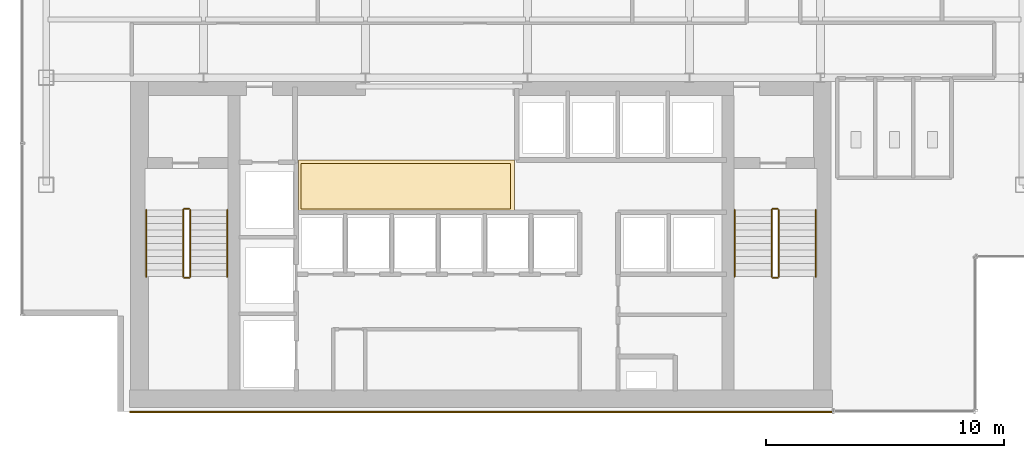
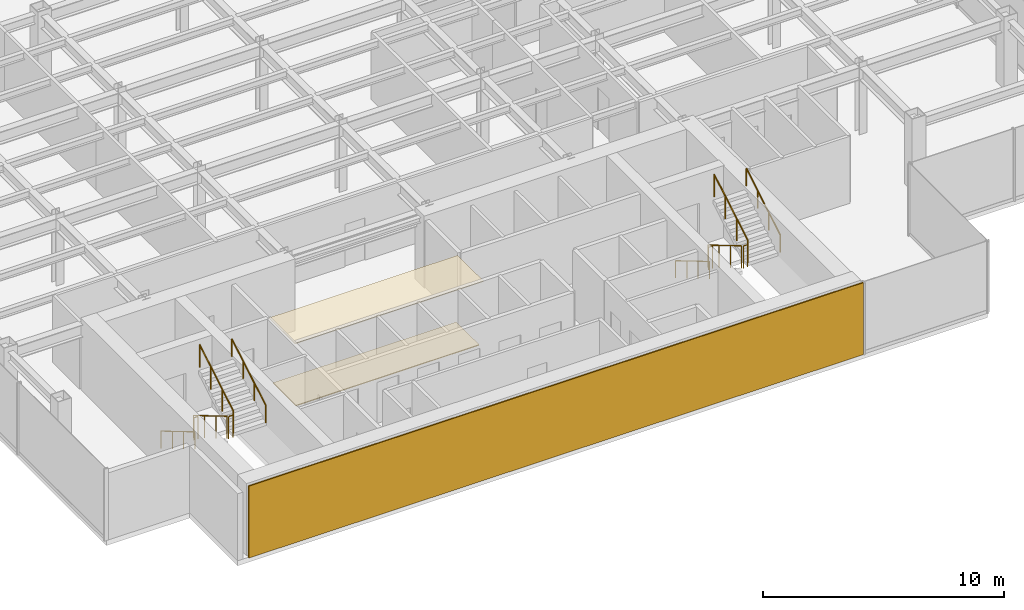
# One storey, part 23 of 25: 12 railings, 3 coverings.
"""IFC4 building model written with IfcOpenShell, lengths in metres."""

import ifcopenshell
import ifcopenshell.guid

model = None  # the IFC model being written
_history = None  # IfcOwnerHistory: only IFC2X3 demands one
_inside = {}  # id of a spatial element -> (the spatial element, [elements in it])
_under = {}  # id of a project, library or spatial element -> (it, [spatial elements below it])
_declared = {}  # id of a project -> (the project, [libraries it declares])
_typed = {}  # id of a type object -> (the type object, [elements of that type])
_made_of = {}  # id of a material, layer set ... -> (it, [elements and type objects made of it])


def new_model(schema):
    """Start an empty IFC model of exactly this schema.

    Asked for "IFC4X3", IfcOpenShell would pick the latest addendum, in which some entities
    have other attributes; the version numbers below select the first issue.
    IFC2X3 requires an IfcOwnerHistory on every rooted entity: one is made here for all.
    """
    global model, _history
    if schema == "IFC4X3":
        model = ifcopenshell.file(schema_version=(4, 3, 0, 0))
    else:
        model = ifcopenshell.file(schema=schema)
    _inside.clear()
    _under.clear()
    _declared.clear()
    _typed.clear()
    _made_of.clear()
    _history = None
    if model.schema == "IFC2X3":
        org = make("IfcOrganization", Name="unknown")
        user = make(
            "IfcPersonAndOrganization",
            ThePerson=make("IfcPerson", FamilyName="unknown"),
            TheOrganization=org,
        )
        app = make(
            "IfcApplication",
            ApplicationDeveloper=org,
            Version="unknown",
            ApplicationFullName="unknown",
            ApplicationIdentifier="unknown",
        )
        _history = make(
            "IfcOwnerHistory",
            OwningUser=user,
            OwningApplication=app,
            ChangeAction="ADDED",
            CreationDate=0,
        )
    return model


def make(cls, **values):
    """One entity of the class cls with the attributes given. An attribute that is None is left unset."""
    return model.create_entity(
        cls, **{name: value for name, value in values.items() if value is not None}
    )


def rooted(cls, **values):
    """An entity with a GlobalId (a new one), such as an element, a storey or a relation."""
    return make(cls, GlobalId=ifcopenshell.guid.new(), OwnerHistory=_history, **values)


def si_unit(unit_type, name, prefix=None):
    """IfcSIUnit, for example si_unit("LENGTHUNIT", "METRE", prefix="MILLI")."""
    return make("IfcSIUnit", UnitType=unit_type, Prefix=prefix, Name=name)


def derived_unit(unit_type, elements):
    """IfcDerivedUnit: a product of units, each with its exponent."""
    return make(
        "IfcDerivedUnit",
        Elements=[
            make("IfcDerivedUnitElement", Unit=unit, Exponent=power)
            for unit, power in elements
        ],
        UnitType=unit_type,
    )


def assignment(units):
    """IfcUnitAssignment: the units of a project."""
    return None if units is None else make("IfcUnitAssignment", Units=units)


def point(xyz):
    """IfcCartesianPoint."""
    return None if xyz is None else make("IfcCartesianPoint", Coordinates=xyz)


def direction(xyz):
    """IfcDirection."""
    return None if xyz is None else make("IfcDirection", DirectionRatios=xyz)


def frame(location, z_axis=None, x_axis=None):
    """IfcAxis2Placement3D, a coordinate frame: its origin and axes. An axis left out is left unset."""
    return make(
        "IfcAxis2Placement3D",
        Location=point(location),
        Axis=direction(z_axis),
        RefDirection=direction(x_axis),
    )


def frame_2d(location, x_axis=None):
    """IfcAxis2Placement2D, a coordinate frame in the plane: its origin and x axis."""
    return make(
        "IfcAxis2Placement2D", Location=point(location), RefDirection=direction(x_axis)
    )


def origin():
    """The frame at (0, 0, 0) with its axes left unset."""
    return frame((0.0, 0.0, 0.0))


def origin_2d():
    """The frame at (0, 0) in the plane with its x axis left unset."""
    return frame_2d((0.0, 0.0))


def place(relative_to, where):
    """IfcLocalPlacement: puts the frame where relative to a parent placement (None: the world)."""
    return make(
        "IfcLocalPlacement", PlacementRelTo=relative_to, RelativePlacement=where
    )


def context(
    kind, dimensions, precision=None, world=None, true_north=None, identifier=None
):
    """IfcGeometricRepresentationContext, for example the 3D "Model" context."""
    return make(
        "IfcGeometricRepresentationContext",
        ContextIdentifier=identifier,
        ContextType=kind,
        CoordinateSpaceDimension=dimensions,
        Precision=precision,
        WorldCoordinateSystem=world,
        TrueNorth=true_north,
    )


def subcontext(parent, identifier, kind, view, scale=None):
    """IfcGeometricRepresentationSubContext, for example "Body" below "Model"."""
    return make(
        "IfcGeometricRepresentationSubContext",
        ContextIdentifier=identifier,
        ContextType=kind,
        ParentContext=parent,
        TargetScale=scale,
        TargetView=view,
    )


def project(units=None, contexts=None):
    """IfcProject with its units and contexts."""
    return rooted(
        "IfcProject",
        Name="project",
        RepresentationContexts=contexts,
        UnitsInContext=assignment(units),
    )


def spatial(cls, under=None, at=None, **own):
    """A site, building, storey or space (cls), placed at a placement, below another one or the project."""
    s = rooted(cls, ObjectPlacement=at, **own)
    if under is not None:
        _under.setdefault(under.id(), (under, []))[1].append(s)
    return s


def polyline(points):
    """IfcPolyline through the points."""
    return make("IfcPolyline", Points=[point(p) for p in points])


def profile(cls, at=None, kind="AREA", **sizes):
    """A parametric profile (cls). Its sizes go by their IFC names, for example OverallWidth=200.0."""
    return make(cls, ProfileType=kind, Position=at, **sizes)


def rectangle(**sizes):
    """IfcRectangleProfileDef."""
    return profile("IfcRectangleProfileDef", **sizes)


def circle(**sizes):
    """IfcCircleProfileDef."""
    return profile("IfcCircleProfileDef", **sizes)


def outline(outer, holes=None, kind="AREA"):
    """IfcArbitraryClosedProfileDef: a profile drawn as a closed curve; with holes, ...WithVoids."""
    if holes is None:
        return make("IfcArbitraryClosedProfileDef", ProfileType=kind, OuterCurve=outer)
    return make(
        "IfcArbitraryProfileDefWithVoids",
        ProfileType=kind,
        OuterCurve=outer,
        InnerCurves=holes,
    )


def extrude(swept, where, along, depth):
    """IfcExtrudedAreaSolid: the profile swept, set in the frame where, extruded along a direction by depth."""
    return make(
        "IfcExtrudedAreaSolid",
        SweptArea=swept,
        Position=where,
        ExtrudedDirection=direction(along),
        Depth=depth,
    )


def shape(context_of_items, identifier, shape_type, items):
    """IfcShapeRepresentation: the items that make up one representation, for example the "Body"."""
    return make(
        "IfcShapeRepresentation",
        ContextOfItems=context_of_items,
        RepresentationIdentifier=identifier,
        RepresentationType=shape_type,
        Items=items,
    )


def source(mapping_origin, context_of_items, identifier, shape_type, items):
    """IfcRepresentationMap: a shape defined once, which mapped items show again and again."""
    return make(
        "IfcRepresentationMap",
        MappingOrigin=mapping_origin,
        MappedRepresentation=shape(context_of_items, identifier, shape_type, items),
    )


def transform(
    local_origin,
    x_axis=None,
    y_axis=None,
    z_axis=None,
    scale=None,
    scale2=None,
    scale3=None,
    uniform=True,
):
    """IfcCartesianTransformationOperator3D, or its non-uniform kind. x_axis, y_axis, z_axis: its Axis1, 2, 3."""
    if uniform:
        return make(
            "IfcCartesianTransformationOperator3D",
            Axis1=direction(x_axis),
            Axis2=direction(y_axis),
            LocalOrigin=point(local_origin),
            Scale=scale,
            Axis3=direction(z_axis),
        )
    return make(
        "IfcCartesianTransformationOperator3DnonUniform",
        Axis1=direction(x_axis),
        Axis2=direction(y_axis),
        LocalOrigin=point(local_origin),
        Scale=scale,
        Axis3=direction(z_axis),
        Scale2=scale2,
        Scale3=scale3,
    )


def mapped(mapping_source, mapping_target):
    """IfcMappedItem: shows the shape of a source again, moved by a transform."""
    return make(
        "IfcMappedItem", MappingSource=mapping_source, MappingTarget=mapping_target
    )


def material(Name=None, Category=None):
    """IfcMaterial."""
    return make("IfcMaterial", Name=Name, Category=Category)


def layer(
    of_material, thickness, ventilated=None, Name=None, Category=None, Priority=None
):
    """IfcMaterialLayer: one layer of a wall or slab, of a material (None: an air gap)."""
    return make(
        "IfcMaterialLayer",
        Material=of_material,
        LayerThickness=thickness,
        IsVentilated=ventilated,
        Name=Name,
        Category=Category,
        Priority=Priority,
    )


def layer_set(layers, Name=None):
    """IfcMaterialLayerSet."""
    return make("IfcMaterialLayerSet", MaterialLayers=layers, LayerSetName=Name)


def made_of(thing, what):
    """Note that an element or type object is made of a material, layer set ...; save() writes the relation."""
    if what is not None:
        _made_of.setdefault(what.id(), (what, []))[1].append(thing)
    return thing


def type_object(cls, material=None, **own):
    """A type object (cls), such as IfcWallType, which elements share."""
    return made_of(rooted(cls, **own), material)


def element(
    cls,
    number,
    at=None,
    inside=None,
    cuts=None,
    type_object=None,
    material=None,
    context=None,
    identifier="Body",
    shape_type=None,
    held_by="IfcProductDefinitionShape",
    body=None,
    shapes=None,
    **own,
):
    """One element of the class cls, such as IfcWall. Its Tag is "e" and its number.

    at: its placement. inside: the storey or other place that contains it. cuts: it is an
    opening in that element (IfcRelVoidsElement). A single representation is given by context,
    identifier, shape_type and body (its items); several are given by shapes. held_by: the class
    of the entity that holds the representations. save() writes the other relations.
    """
    e = rooted(cls, Tag="e%d" % number, ObjectPlacement=at, **own)
    if body is not None:
        shapes = [shape(context, identifier, shape_type, body)]
    if shapes is not None:
        e.Representation = make(held_by, Representations=shapes)
    if inside is not None:
        _inside.setdefault(inside.id(), (inside, []))[1].append(e)
    if cuts is not None:
        rooted(
            "IfcRelVoidsElement", RelatingBuildingElement=cuts, RelatedOpeningElement=e
        )
    if type_object is not None:
        _typed.setdefault(type_object.id(), (type_object, []))[1].append(e)
    return made_of(e, material)


def aggregate(whole, parts):
    """IfcRelAggregates: a whole, such as a stair, and the parts it consists of."""
    return rooted("IfcRelAggregates", RelatingObject=whole, RelatedObjects=parts)


def save(model, path):
    """Write the relations noted so far, then the file.

    IfcRelAggregates (storeys below a building ...), IfcRelContainedInSpatialStructure (elements
    in a storey), IfcRelDefinesByType, IfcRelAssociatesMaterial and IfcRelDeclares: one each for
    every whole, place, type object, material and project.
    """
    for whole, parts in _under.values():
        aggregate(whole, parts)
    for where, things in _inside.values():
        rooted(
            "IfcRelContainedInSpatialStructure",
            RelatedElements=things,
            RelatingStructure=where,
        )
    for kind, things in _typed.values():
        rooted("IfcRelDefinesByType", RelatedObjects=things, RelatingType=kind)
    for what, things in _made_of.values():
        rooted("IfcRelAssociatesMaterial", RelatedObjects=things, RelatingMaterial=what)
    for by, libraries in _declared.values():
        rooted("IfcRelDeclares", RelatingContext=by, RelatedDefinitions=libraries)
    model.write(path)


model = new_model("IFC4")

# Units and contexts
model_context = context("Model", 3, precision=1e-05, world=origin(), true_north=direction((0.0, 1.0)))
body_context = subcontext(model_context, "Body", "Model", "MODEL_VIEW")
ifc_project = project(units=[si_unit("LENGTHUNIT", "METRE"), si_unit("AREAUNIT", "SQUARE_METRE"), si_unit("VOLUMEUNIT", "CUBIC_METRE"), si_unit("PLANEANGLEUNIT", "RADIAN"), si_unit("MASSUNIT", "GRAM", prefix="KILO"), derived_unit("THERMALTRANSMITTANCEUNIT", [(si_unit("POWERUNIT", "WATT"), 1), (si_unit("LENGTHUNIT", "METRE"), -2), (si_unit("THERMODYNAMICTEMPERATUREUNIT", "KELVIN"), -1)])], contexts=[model_context])

# Site, building, storey
site_placement = place(None, origin())
site = spatial("IfcSite", under=ifc_project, at=site_placement, CompositionType="ELEMENT")
building_placement = place(site_placement, origin())
building = spatial("IfcBuilding", under=site, at=building_placement, Name="Skarnbrae Concourse Arena and Tower", CompositionType="ELEMENT")
storey_placement = place(building_placement, frame((0.0, 0.0, 166.14990234375)))
storey = spatial("IfcBuildingStorey", under=building, at=storey_placement, Name="L42", CompositionType="ELEMENT", Elevation=166.14990234375)

# Coverings
ifc_material_1 = material(Name="Mineral fibre acoustic ceiling tile", Category="other")
ifc_layer_1 = layer(ifc_material_1, 0.0400390625)
ifc_layer_set_1 = layer_set([ifc_layer_1], Name="Mineral fibre acoustic ceiling tile")
covering_type_1 = type_object("IfcCoveringType", Name="COV-CEIL-ACOUSTIC", PredefinedType="CEILING", material=ifc_layer_set_1)
covering_1_placement = place(storey_placement, frame((0.0, 0.0, 3.239990234375)))
element("IfcCovering", 1, at=covering_1_placement, inside=storey, type_object=covering_type_1, Name="L42 Lift lobby acoustic ceiling", PredefinedType="CEILING", context=body_context, shape_type="SweptSolid", body=[
    extrude(outline(polyline([(11.60009765625, 8.39990234375), (20.64990234375, 8.39990234375), (20.64990234375, 10.550048828125), (11.60009765625, 10.550048828125), (11.60009765625, 8.39990234375)])), origin(), (0.0, 0.0, 1.0), 0.0400390625),
])
ifc_material_2 = material(Name="Polished granite terrazzo flooring", Category="masonry")
ifc_layer_2 = layer(ifc_material_2, 0.0400390625)
ifc_layer_set_2 = layer_set([ifc_layer_2], Name="Polished granite terrazzo flooring")
covering_type_2 = type_object("IfcCoveringType", Name="COV-FLOOR-TERRAZZO", PredefinedType="FLOORING", material=ifc_layer_set_2)
covering_2_placement = place(storey_placement, origin())
element("IfcCovering", 2, at=covering_2_placement, inside=storey, type_object=covering_type_2, Name="L42 Lift lobby terrazzo flooring", PredefinedType="FLOORING", context=body_context, shape_type="SweptSolid", body=[
    extrude(outline(polyline([(11.699951171875, 8.5), (20.5, 8.5), (20.5, 10.39990234375), (11.699951171875, 10.39990234375), (11.699951171875, 8.5)])), origin(), (0.0, 0.0, 1.0), 0.0400390625),
])

# Railings
ifc_material_3 = material(Name="Steel CSA G40.21 350W", Category="steel")
railing_type_1 = type_object("IfcRailingType", Name="RAIL-HANDRAIL-900", PredefinedType="HANDRAIL", material=ifc_material_3)
railing_1_placement = place(storey_placement, frame((5.199951171875, 8.449951171875, 0.166015625)))
element("IfcRailing", 3, at=railing_1_placement, inside=storey, type_object=railing_type_1, Name="L42 ST-1 stair handrail 1", PredefinedType="HANDRAIL", context=body_context, shape_type="SweptSolid", body=[
    extrude(circle(Radius=0.02392578125, at=origin_2d()), frame((0.0, 0.0, 0.8759765625), z_axis=(0.0, -0.860306154799, 0.50977771628), x_axis=(1.0, 0.0, 0.0)), (0.0, 0.0, 1.0), 3.254638671875),
    extrude(circle(Radius=0.02099609375, at=origin_2d()), origin(), (0.0, 0.0, 1.0), 0.851806640625),
    extrude(circle(Radius=0.02099609375, at=origin_2d()), frame((0.0, -0.933349609375, 0.552978515625)), (0.0, 0.0, 1.0), 0.851806640625),
    extrude(circle(Radius=0.02099609375, at=origin_2d()), frame((0.0, -1.86669921875, 1.106201171875)), (0.0, 0.0, 1.0), 0.851806640625),
    extrude(circle(Radius=0.02099609375, at=origin_2d()), frame((0.0, -2.800048828125, 1.6591796875)), (0.0, 0.0, 1.0), 0.851806640625),
])
railing_2_placement = place(storey_placement, frame((8.60009765625, 5.64990234375, 1.990966796875)))
element("IfcRailing", 4, at=railing_2_placement, inside=storey, type_object=railing_type_1, Name="L42 ST-1 stair handrail 2", PredefinedType="HANDRAIL", context=body_context, shape_type="SweptSolid", body=[
    extrude(circle(Radius=0.02392578125, at=origin_2d()), frame((0.0, 0.0, 0.8759765625), z_axis=(0.0, 0.860306154799, 0.50977771628), x_axis=(-1.0, 0.0, 0.0)), (0.0, 0.0, 1.0), 3.254638671875),
    extrude(circle(Radius=0.02099609375, at=origin_2d()), origin(), (0.0, 0.0, 1.0), 0.851806640625),
    extrude(circle(Radius=0.02099609375, at=origin_2d()), frame((0.0, 0.933349609375, 0.552978515625)), (0.0, 0.0, 1.0), 0.851806640625),
    extrude(circle(Radius=0.02099609375, at=origin_2d()), frame((0.0, 1.86669921875, 1.106201171875)), (0.0, 0.0, 1.0), 0.851806640625),
    extrude(circle(Radius=0.02099609375, at=origin_2d()), frame((0.0, 2.800048828125, 1.6591796875)), (0.0, 0.0, 1.0), 0.851806640625),
])
railing_3_placement = place(storey_placement, frame((29.89990234375, 8.449951171875, 0.166015625)))
element("IfcRailing", 5, at=railing_3_placement, inside=storey, type_object=railing_type_1, Name="L42 ST-2 stair handrail 1", PredefinedType="HANDRAIL", context=body_context, shape_type="SweptSolid", body=[
    extrude(circle(Radius=0.02392578125, at=origin_2d()), frame((0.0, 0.0, 0.8759765625), z_axis=(0.0, -0.860306154799, 0.50977771628), x_axis=(1.0, 0.0, 0.0)), (0.0, 0.0, 1.0), 3.254638671875),
    extrude(circle(Radius=0.02099609375, at=origin_2d()), origin(), (0.0, 0.0, 1.0), 0.851806640625),
    extrude(circle(Radius=0.02099609375, at=origin_2d()), frame((0.0, -0.933349609375, 0.552978515625)), (0.0, 0.0, 1.0), 0.851806640625),
    extrude(circle(Radius=0.02099609375, at=origin_2d()), frame((0.0, -1.86669921875, 1.106201171875)), (0.0, 0.0, 1.0), 0.851806640625),
    extrude(circle(Radius=0.02099609375, at=origin_2d()), frame((0.0, -2.800048828125, 1.6591796875)), (0.0, 0.0, 1.0), 0.851806640625),
])
railing_4_placement = place(storey_placement, frame((33.300048828125, 5.64990234375, 1.990966796875)))
element("IfcRailing", 6, at=railing_4_placement, inside=storey, type_object=railing_type_1, Name="L42 ST-2 stair handrail 2", PredefinedType="HANDRAIL", context=body_context, shape_type="SweptSolid", body=[
    extrude(circle(Radius=0.02392578125, at=origin_2d()), frame((0.0, 0.0, 0.8759765625), z_axis=(0.0, 0.860306154799, 0.50977771628), x_axis=(-1.0, 0.0, 0.0)), (0.0, 0.0, 1.0), 3.254638671875),
    extrude(circle(Radius=0.02099609375, at=origin_2d()), origin(), (0.0, 0.0, 1.0), 0.851806640625),
    extrude(circle(Radius=0.02099609375, at=origin_2d()), frame((0.0, 0.933349609375, 0.552978515625)), (0.0, 0.0, 1.0), 0.851806640625),
    extrude(circle(Radius=0.02099609375, at=origin_2d()), frame((0.0, 1.86669921875, 1.106201171875)), (0.0, 0.0, 1.0), 0.851806640625),
    extrude(circle(Radius=0.02099609375, at=origin_2d()), frame((0.0, 2.800048828125, 1.6591796875)), (0.0, 0.0, 1.0), 0.851806640625),
])
railing_type_2 = type_object("IfcRailingType", Name="RAIL-STAIR-GUARD-1150", PredefinedType="GUARDRAIL", material=ifc_material_3)
railing_5_placement = place(storey_placement, frame((6.75, 8.449951171875, 0.166015625)))
element("IfcRailing", 7, at=railing_5_placement, inside=storey, type_object=railing_type_2, Name="L42 ST-1 stair guard 1", PredefinedType="GUARDRAIL", context=body_context, shape_type="SweptSolid", body=[
    extrude(circle(Radius=0.02392578125, at=origin_2d()), frame((0.0, 0.0, 1.1259765625), z_axis=(0.0, -0.860306154799, 0.50977771628), x_axis=(1.0, 0.0, 0.0)), (0.0, 0.0, 1.0), 3.254638671875),
    extrude(circle(Radius=0.02099609375, at=origin_2d()), origin(), (0.0, 0.0, 1.0), 1.101806640625),
    extrude(circle(Radius=0.02099609375, at=origin_2d()), frame((0.0, -0.933349609375, 0.552978515625)), (0.0, 0.0, 1.0), 1.101806640625),
    extrude(circle(Radius=0.02099609375, at=origin_2d()), frame((0.0, -1.86669921875, 1.106201171875)), (0.0, 0.0, 1.0), 1.101806640625),
    extrude(circle(Radius=0.02099609375, at=origin_2d()), frame((0.0, -2.800048828125, 1.6591796875)), (0.0, 0.0, 1.0), 1.101806640625),
])
railing_6_placement = place(storey_placement, frame((6.800048828125, 5.60009765625, 1.8251953125)))
element("IfcRailing", 8, at=railing_6_placement, inside=storey, type_object=railing_type_2, Name="L42 ST-1 stair guard 2", PredefinedType="GUARDRAIL", context=body_context, shape_type="SweptSolid", body=[
    extrude(circle(Radius=0.02392578125, at=origin_2d()), frame((0.0, 0.0, 1.1259765625), z_axis=(1.0, 0.0, 0.0), x_axis=(0.0, 1.0, 0.0)), (0.0, 0.0, 1.0), 0.199951171875),
    extrude(circle(Radius=0.02099609375, at=origin_2d()), origin(), (0.0, 0.0, 1.0), 1.101806640625),
    extrude(circle(Radius=0.02099609375, at=origin_2d()), frame((0.199951171875, 0.0, 0.0)), (0.0, 0.0, 1.0), 1.101806640625),
])
railing_7_placement = place(storey_placement, frame((7.050048828125, 5.64990234375, 1.990966796875)))
element("IfcRailing", 9, at=railing_7_placement, inside=storey, type_object=railing_type_2, Name="L42 ST-1 stair guard 3", PredefinedType="GUARDRAIL", context=body_context, shape_type="SweptSolid", body=[
    extrude(circle(Radius=0.02392578125, at=origin_2d()), frame((0.0, 0.0, 1.1259765625), z_axis=(0.0, 0.860306154799, 0.50977771628), x_axis=(-1.0, 0.0, 0.0)), (0.0, 0.0, 1.0), 3.254638671875),
    extrude(circle(Radius=0.02099609375, at=origin_2d()), origin(), (0.0, 0.0, 1.0), 1.101806640625),
    extrude(circle(Radius=0.02099609375, at=origin_2d()), frame((0.0, 0.933349609375, 0.552978515625)), (0.0, 0.0, 1.0), 1.101806640625),
    extrude(circle(Radius=0.02099609375, at=origin_2d()), frame((0.0, 1.86669921875, 1.106201171875)), (0.0, 0.0, 1.0), 1.101806640625),
    extrude(circle(Radius=0.02099609375, at=origin_2d()), frame((0.0, 2.800048828125, 1.6591796875)), (0.0, 0.0, 1.0), 1.101806640625),
])
railing_8_placement = place(storey_placement, frame((6.800048828125, 8.5, 0.0)))
element("IfcRailing", 10, at=railing_8_placement, inside=storey, type_object=railing_type_2, Name="L42 ST-1 stair guard 4", PredefinedType="GUARDRAIL", context=body_context, shape_type="SweptSolid", body=[
    extrude(circle(Radius=0.02392578125, at=origin_2d()), frame((0.0, 0.0, 1.1259765625), z_axis=(1.0, 0.0, 0.0), x_axis=(0.0, 1.0, 0.0)), (0.0, 0.0, 1.0), 0.199951171875),
    extrude(circle(Radius=0.02099609375, at=origin_2d()), origin(), (0.0, 0.0, 1.0), 1.101806640625),
    extrude(circle(Radius=0.02099609375, at=origin_2d()), frame((0.199951171875, 0.0, 0.0)), (0.0, 0.0, 1.0), 1.101806640625),
])
railing_9_placement = place(storey_placement, frame((31.449951171875, 8.449951171875, 0.166015625)))
element("IfcRailing", 11, at=railing_9_placement, inside=storey, type_object=railing_type_2, Name="L42 ST-2 stair guard 1", PredefinedType="GUARDRAIL", context=body_context, shape_type="SweptSolid", body=[
    extrude(circle(Radius=0.02392578125, at=origin_2d()), frame((0.0, 0.0, 1.1259765625), z_axis=(0.0, -0.860306154799, 0.50977771628), x_axis=(1.0, 0.0, 0.0)), (0.0, 0.0, 1.0), 3.254638671875),
    extrude(circle(Radius=0.02099609375, at=origin_2d()), origin(), (0.0, 0.0, 1.0), 1.101806640625),
    extrude(circle(Radius=0.02099609375, at=origin_2d()), frame((0.0, -0.933349609375, 0.552978515625)), (0.0, 0.0, 1.0), 1.101806640625),
    extrude(circle(Radius=0.02099609375, at=origin_2d()), frame((0.0, -1.86669921875, 1.106201171875)), (0.0, 0.0, 1.0), 1.101806640625),
    extrude(circle(Radius=0.02099609375, at=origin_2d()), frame((0.0, -2.800048828125, 1.6591796875)), (0.0, 0.0, 1.0), 1.101806640625),
])
railing_10_placement = place(storey_placement, frame((31.5, 5.60009765625, 1.8251953125)))
element("IfcRailing", 12, at=railing_10_placement, inside=storey, type_object=railing_type_2, Name="L42 ST-2 stair guard 2", PredefinedType="GUARDRAIL", context=body_context, shape_type="SweptSolid", body=[
    extrude(circle(Radius=0.02392578125, at=origin_2d()), frame((0.0, 0.0, 1.1259765625), z_axis=(1.0, 0.0, 0.0), x_axis=(0.0, 1.0, 0.0)), (0.0, 0.0, 1.0), 0.199951171875),
    extrude(circle(Radius=0.02099609375, at=origin_2d()), origin(), (0.0, 0.0, 1.0), 1.101806640625),
    extrude(circle(Radius=0.02099609375, at=origin_2d()), frame((0.199951171875, 0.0, 0.0)), (0.0, 0.0, 1.0), 1.101806640625),
])
railing_11_placement = place(storey_placement, frame((31.75, 5.64990234375, 1.990966796875)))
element("IfcRailing", 13, at=railing_11_placement, inside=storey, type_object=railing_type_2, Name="L42 ST-2 stair guard 3", PredefinedType="GUARDRAIL", context=body_context, shape_type="SweptSolid", body=[
    extrude(circle(Radius=0.02392578125, at=origin_2d()), frame((0.0, 0.0, 1.1259765625), z_axis=(0.0, 0.860306154799, 0.50977771628), x_axis=(-1.0, 0.0, 0.0)), (0.0, 0.0, 1.0), 3.254638671875),
    extrude(circle(Radius=0.02099609375, at=origin_2d()), origin(), (0.0, 0.0, 1.0), 1.101806640625),
    extrude(circle(Radius=0.02099609375, at=origin_2d()), frame((0.0, 0.933349609375, 0.552978515625)), (0.0, 0.0, 1.0), 1.101806640625),
    extrude(circle(Radius=0.02099609375, at=origin_2d()), frame((0.0, 1.86669921875, 1.106201171875)), (0.0, 0.0, 1.0), 1.101806640625),
    extrude(circle(Radius=0.02099609375, at=origin_2d()), frame((0.0, 2.800048828125, 1.6591796875)), (0.0, 0.0, 1.0), 1.101806640625),
])
railing_12_placement = place(storey_placement, frame((31.5, 8.5, 0.0)))
element("IfcRailing", 14, at=railing_12_placement, inside=storey, type_object=railing_type_2, Name="L42 ST-2 stair guard 4", PredefinedType="GUARDRAIL", context=body_context, shape_type="SweptSolid", body=[
    extrude(circle(Radius=0.02392578125, at=origin_2d()), frame((0.0, 0.0, 1.1259765625), z_axis=(1.0, 0.0, 0.0), x_axis=(0.0, 1.0, 0.0)), (0.0, 0.0, 1.0), 0.199951171875),
    extrude(circle(Radius=0.02099609375, at=origin_2d()), origin(), (0.0, 0.0, 1.0), 1.101806640625),
    extrude(circle(Radius=0.02099609375, at=origin_2d()), frame((0.199951171875, 0.0, 0.0)), (0.0, 0.0, 1.0), 1.101806640625),
])

# Covering
ifc_material_4 = material(Name="Bronze anodised aluminium 6063-T6", Category="aluminium")
ifc_layer_3 = layer(ifc_material_4, 0.06005859375)
ifc_layer_set_3 = layer_set([ifc_layer_3], Name="Bronze anodised aluminium 6063-T6")
covering_type_3 = type_object("IfcCoveringType", Name="COV-CLAD-BRONZE-60", PredefinedType="CLADDING", material=ifc_layer_set_3)
shared_shape = source(origin(), body_context, "Body", "SweptSolid", [
    extrude(rectangle(XDim=29.5, YDim=0.06005859375, at=origin_2d()), origin(), (0.0, 0.0, 1.0), 3.64990234375),
])
covering_3_placement = place(storey_placement, frame((19.25, -0.030029296875, 0.000244140625), z_axis=(0.0, 0.0, 1.0), x_axis=(1.0, 0.0, 0.0)))
element("IfcCovering", 15, at=covering_3_placement, inside=storey, type_object=covering_type_3, Name="L42 Rear-core plumb spine bronze rainscreen panel", PredefinedType="CLADDING", context=body_context, shape_type="MappedRepresentation", body=[
    mapped(shared_shape, transform((0.0, 0.0, 0.0))),
])

save(model, "model.ifc")
